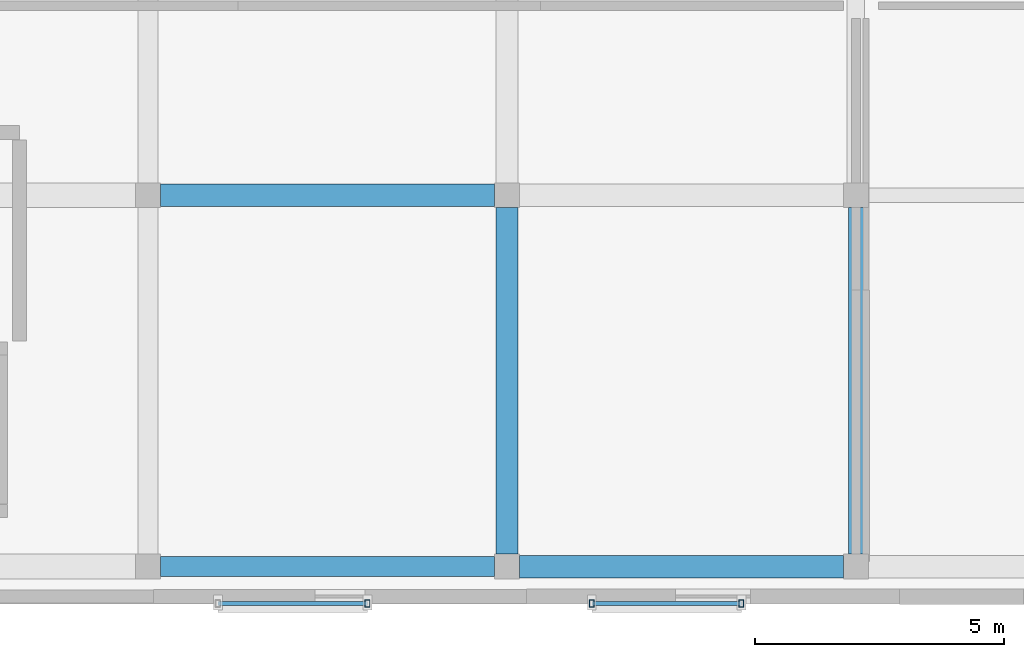
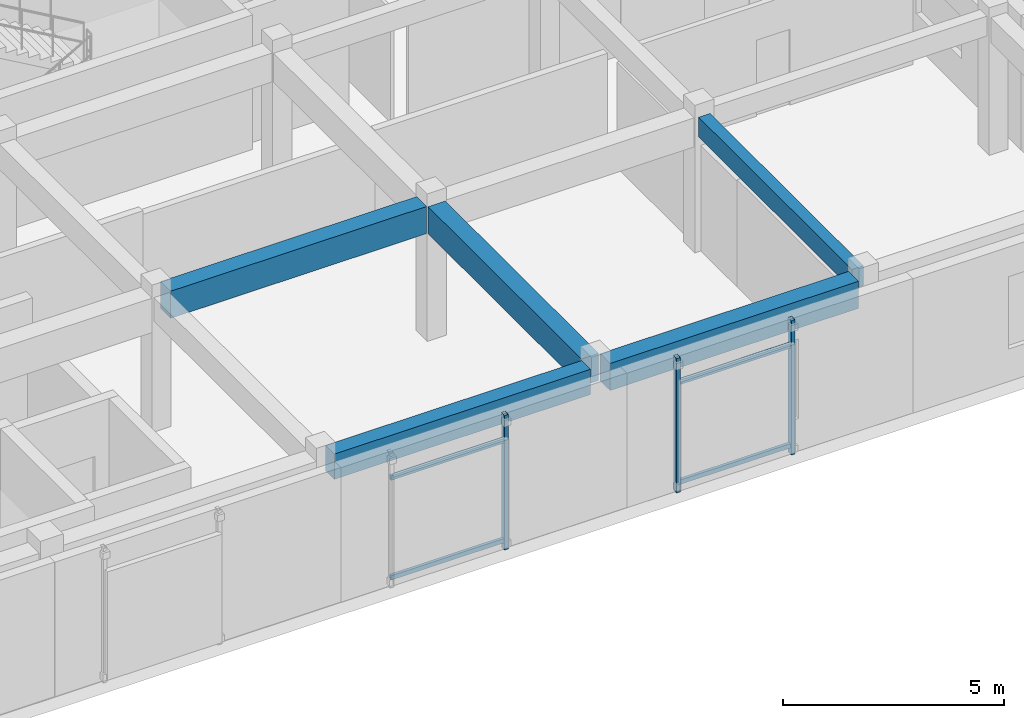
# One storey, part 24 of 91: 7 members, 5 beams.
"""IFC4 building model written with IfcOpenShell, lengths in metres."""

from ifc_helpers import new_model, si_unit, direction, frame, origin, origin_2d, place, context, subcontext, project, spatial, rectangle, hollow_rectangle, extrude, material, material_profile, profile_set, type_object, element, save


model = new_model("IFC4")

# Units and contexts
model_context = context("Model", 3, precision=1e-05, world=origin(), true_north=direction((0.0, 1.0)))
body_context = subcontext(model_context, "Body", "Model", "MODEL_VIEW")
ifc_project = project(units=[si_unit("LENGTHUNIT", "METRE"), si_unit("AREAUNIT", "SQUARE_METRE"), si_unit("VOLUMEUNIT", "CUBIC_METRE"), si_unit("PLANEANGLEUNIT", "RADIAN"), si_unit("MASSUNIT", "GRAM", prefix="KILO")], contexts=[model_context])

# Site, building, storey
site_placement = place(None, origin())
site = spatial("IfcSite", under=ifc_project, at=site_placement, CompositionType="ELEMENT")
building_placement = place(site_placement, origin())
building = spatial("IfcBuilding", under=site, at=building_placement, Name="Valcora Specialist Clinic", CompositionType="ELEMENT")
storey_placement = place(building_placement, frame((0.0, 0.0, 13.60009765625)))
storey = spatial("IfcBuildingStorey", under=building, at=storey_placement, Name="L03", CompositionType="ELEMENT", Elevation=13.60009765625)

# Beams
ifc_material_1 = material(Name="Concrete C40/50", Category="concrete")
ifc_material_profile_1 = material_profile(ifc_material_1, rectangle(XDim=0.300048828125, YDim=0.550048828125, at=origin_2d()), Name="RC-BM-300X550")
ifc_profile_set_1 = profile_set([ifc_material_profile_1], Name="Concrete C40/50")
beam_type_1 = type_object("IfcBeamType", Name="TY-BM-RC300X550", PredefinedType="BEAM", material=ifc_profile_set_1)
beam_1_placement = place(storey_placement, frame((44.800048828125, 1.0, 3.44482421875), z_axis=(0.0, 1.0, 0.0), x_axis=(-1.0, 0.0, 0.0)))
element("IfcBeam", 1, at=beam_1_placement, inside=storey, type_object=beam_type_1, Name="Beam BM-L03-1067", PredefinedType="BEAM", context=body_context, shape_type="SweptSolid", body=[
    extrude(rectangle(XDim=0.300048828125, YDim=0.550048828125, at=origin_2d()), origin(), (0.0, 0.0, 1.0), 6.949951171875),
])
ifc_material_profile_2 = material_profile(ifc_material_1, rectangle(XDim=0.39990234375, YDim=0.699951171875, at=origin_2d()), Name="RC-BM-400X700")
ifc_profile_set_2 = profile_set([ifc_material_profile_2], Name="Concrete C40/50")
beam_type_2 = type_object("IfcBeamType", Name="TY-BM-RC400X700", PredefinedType="BEAM", material=ifc_profile_set_2)
beam_2_placement = place(storey_placement, frame((30.85009765625, 0.75, 3.369873046875), z_axis=(1.0, 0.0, 0.0), x_axis=(0.0, 1.0, 0.0)))
element("IfcBeam", 2, at=beam_2_placement, inside=storey, type_object=beam_type_2, Name="Beam BM-L03-1030", PredefinedType="BEAM", context=body_context, shape_type="SweptSolid", body=[
    extrude(rectangle(XDim=0.39990234375, YDim=0.699951171875, at=origin_2d()), origin(), (0.0, 0.0, 1.0), 6.699951171875),
])
ifc_material_profile_3 = material_profile(ifc_material_1, rectangle(XDim=0.449951171875, YDim=0.75, at=origin_2d()), Name="RC-BM-450X750")
ifc_profile_set_3 = profile_set([ifc_material_profile_3], Name="Concrete C40/50")
beam_type_3 = type_object("IfcBeamType", Name="TY-BM-RC450X750", PredefinedType="BEAM", material=ifc_profile_set_3)
beam_3_placement = place(storey_placement, frame((38.050048828125, 0.75, 3.344970703125), z_axis=(1.0, 0.0, 0.0), x_axis=(0.0, 1.0, 0.0)))
element("IfcBeam", 3, at=beam_3_placement, inside=storey, type_object=beam_type_3, Name="Beam BM-L03-1031", PredefinedType="BEAM", context=body_context, shape_type="SweptSolid", body=[
    extrude(rectangle(XDim=0.449951171875, YDim=0.75, at=origin_2d()), origin(), (0.0, 0.0, 1.0), 6.5),
])
beam_4_placement = place(storey_placement, frame((30.85009765625, 8.199951171875, 3.344970703125), z_axis=(1.0, 0.0, 0.0), x_axis=(0.0, 1.0, 0.0)))
element("IfcBeam", 4, at=beam_4_placement, inside=storey, type_object=beam_type_3, Name="Beam BM-L03-1037", PredefinedType="BEAM", context=body_context, shape_type="SweptSolid", body=[
    extrude(rectangle(XDim=0.449951171875, YDim=0.75, at=origin_2d()), origin(), (0.0, 0.0, 1.0), 6.699951171875),
])
beam_5_placement = place(storey_placement, frame((37.800048828125, 1.0, 3.344970703125), z_axis=(0.0, 1.0, 0.0), x_axis=(-1.0, 0.0, 0.0)))
element("IfcBeam", 5, at=beam_5_placement, inside=storey, type_object=beam_type_3, Name="Beam BM-L03-1065", PredefinedType="BEAM", context=body_context, shape_type="SweptSolid", body=[
    extrude(rectangle(XDim=0.449951171875, YDim=0.75, at=origin_2d()), origin(), (0.0, 0.0, 1.0), 6.949951171875),
])

# Members
ifc_material_2 = material(Name="Steel ASTM A500 Grade C", Category="steel")
ifc_material_profile_4 = material_profile(ifc_material_2, hollow_rectangle(XDim=0.10009765625, YDim=0.14990234375, WallThickness=0.006103515625, at=origin_2d()), Name="ST-RHS-150X100X6")
ifc_profile_set_4 = profile_set([ifc_material_profile_4], Name="Steel ASTM A500 Grade C")
member_type_1 = type_object("IfcMemberType", Name="TY-MB-SFPOST", PredefinedType="POST", material=ifc_profile_set_4)
for number, where, z_axis, x_axis, name in (
    (6, (35.0, 0.010009765625, 0.0), (0.0, 0.0, 1.0), (1.0, 0.0, 0.0), "Brick screen carrier post 130"),
    (7, (39.5, 0.010009765625, 0.0), (0.0, 0.0, 1.0), (1.0, 0.0, 0.0), "Brick screen carrier post 133"),
    (8, (42.5, 0.010009765625, 0.0), (0.0, 0.0, 1.0), (1.0, 0.0, 0.0), "Brick screen carrier post 134"),
):
    element("IfcMember", number, at=place(storey_placement, frame(where, z_axis=z_axis, x_axis=x_axis)), inside=storey, type_object=member_type_1, Name=name, PredefinedType="POST", context=body_context, shape_type="SweptSolid", body=[
        extrude(hollow_rectangle(XDim=0.10009765625, YDim=0.14990234375, WallThickness=0.006103515625, at=origin_2d()), origin(), (0.0, 0.0, 1.0), 3.719970703125),
    ])
ifc_material_profile_5 = material_profile(ifc_material_2, hollow_rectangle(XDim=0.080078125, YDim=0.1201171875, WallThickness=0.0048828125, at=origin_2d()), Name="ST-RHS-120X80X5")
ifc_profile_set_5 = profile_set([ifc_material_profile_5], Name="Steel ASTM A500 Grade C")
member_type_2 = type_object("IfcMemberType", Name="TY-MB-SFRAIL", PredefinedType="STRINGER", material=ifc_profile_set_5)
for number, where, z_axis, x_axis, name in (
    (9, (32.0, 0.010009765625, 0.239990234375), (1.0, 0.0, 0.0), (0.0, 1.0, 0.0), "Brick screen carrier rail 131"),
    (10, (32.0, 0.010009765625, 3.0), (1.0, 0.0, 0.0), (0.0, 1.0, 0.0), "Brick screen carrier rail 132"),
    (11, (39.5, 0.010009765625, 0.239990234375), (1.0, 0.0, 0.0), (0.0, 1.0, 0.0), "Brick screen carrier rail 135"),
    (12, (39.5, 0.010009765625, 3.0), (1.0, 0.0, 0.0), (0.0, 1.0, 0.0), "Brick screen carrier rail 136"),
):
    element("IfcMember", number, at=place(storey_placement, frame(where, z_axis=z_axis, x_axis=x_axis)), inside=storey, type_object=member_type_2, Name=name, PredefinedType="STRINGER", context=body_context, shape_type="SweptSolid", body=[
        extrude(hollow_rectangle(XDim=0.080078125, YDim=0.1201171875, WallThickness=0.0048828125, at=origin_2d()), origin(), (0.0, 0.0, 1.0), 3.0),
    ])

save(model, "model.ifc")
